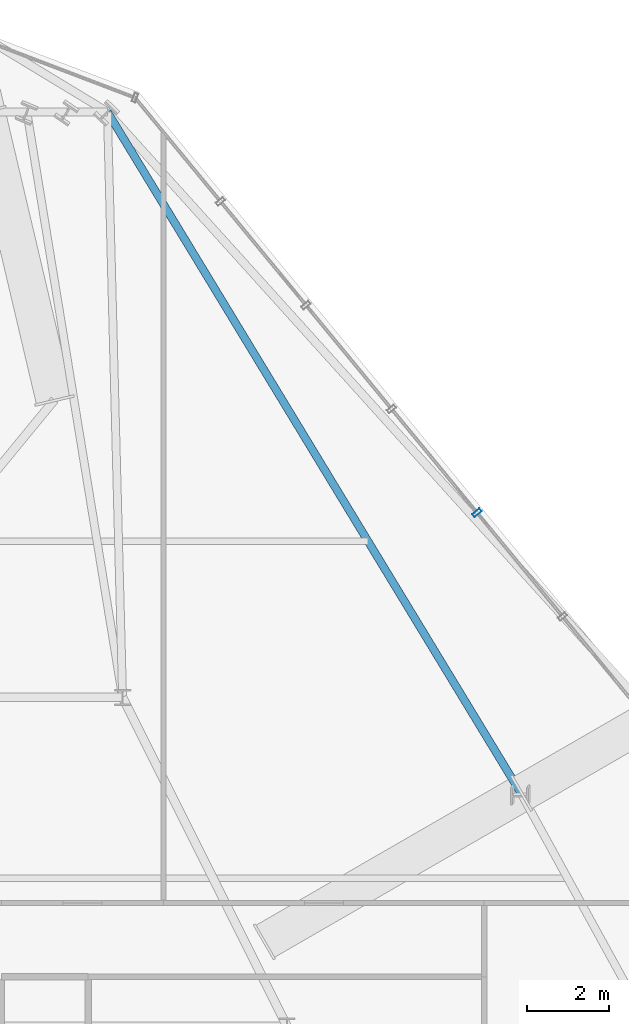
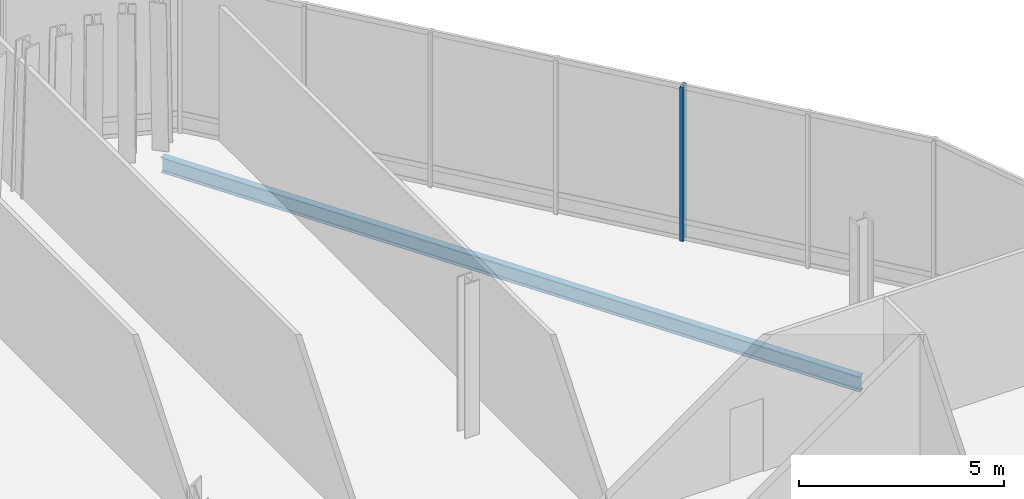
# One storey, part 19 of 28: 1 beam, 1 member, 1 element without a shape of its own.
"""IFC4 building model written with IfcOpenShell, lengths in metres."""

import ifcopenshell
import ifcopenshell.guid

model = None  # the IFC model being written
_history = None  # IfcOwnerHistory: only IFC2X3 demands one
_inside = {}  # id of a spatial element -> (the spatial element, [elements in it])
_under = {}  # id of a project, library or spatial element -> (it, [spatial elements below it])
_declared = {}  # id of a project -> (the project, [libraries it declares])
_typed = {}  # id of a type object -> (the type object, [elements of that type])
_made_of = {}  # id of a material, layer set ... -> (it, [elements and type objects made of it])


def new_model(schema):
    """Start an empty IFC model of exactly this schema.

    Asked for "IFC4X3", IfcOpenShell would pick the latest addendum, in which some entities
    have other attributes; the version numbers below select the first issue.
    IFC2X3 requires an IfcOwnerHistory on every rooted entity: one is made here for all.
    """
    global model, _history
    if schema == "IFC4X3":
        model = ifcopenshell.file(schema_version=(4, 3, 0, 0))
    else:
        model = ifcopenshell.file(schema=schema)
    _inside.clear()
    _under.clear()
    _declared.clear()
    _typed.clear()
    _made_of.clear()
    _history = None
    if model.schema == "IFC2X3":
        org = make("IfcOrganization", Name="unknown")
        user = make(
            "IfcPersonAndOrganization",
            ThePerson=make("IfcPerson", FamilyName="unknown"),
            TheOrganization=org,
        )
        app = make(
            "IfcApplication",
            ApplicationDeveloper=org,
            Version="unknown",
            ApplicationFullName="unknown",
            ApplicationIdentifier="unknown",
        )
        _history = make(
            "IfcOwnerHistory",
            OwningUser=user,
            OwningApplication=app,
            ChangeAction="ADDED",
            CreationDate=0,
        )
    return model


def make(cls, **values):
    """One entity of the class cls with the attributes given. An attribute that is None is left unset."""
    return model.create_entity(
        cls, **{name: value for name, value in values.items() if value is not None}
    )


def rooted(cls, **values):
    """An entity with a GlobalId (a new one), such as an element, a storey or a relation."""
    return make(cls, GlobalId=ifcopenshell.guid.new(), OwnerHistory=_history, **values)


def si_unit(unit_type, name, prefix=None):
    """IfcSIUnit, for example si_unit("LENGTHUNIT", "METRE", prefix="MILLI")."""
    return make("IfcSIUnit", UnitType=unit_type, Prefix=prefix, Name=name)


def assignment(units):
    """IfcUnitAssignment: the units of a project."""
    return None if units is None else make("IfcUnitAssignment", Units=units)


def point(xyz):
    """IfcCartesianPoint."""
    return None if xyz is None else make("IfcCartesianPoint", Coordinates=xyz)


def direction(xyz):
    """IfcDirection."""
    return None if xyz is None else make("IfcDirection", DirectionRatios=xyz)


def frame(location, z_axis=None, x_axis=None):
    """IfcAxis2Placement3D, a coordinate frame: its origin and axes. An axis left out is left unset."""
    return make(
        "IfcAxis2Placement3D",
        Location=point(location),
        Axis=direction(z_axis),
        RefDirection=direction(x_axis),
    )


def frame_2d(location, x_axis=None):
    """IfcAxis2Placement2D, a coordinate frame in the plane: its origin and x axis."""
    return make(
        "IfcAxis2Placement2D", Location=point(location), RefDirection=direction(x_axis)
    )


def origin():
    """The frame at (0, 0, 0) with its axes left unset."""
    return frame((0.0, 0.0, 0.0))


def origin_2d():
    """The frame at (0, 0) in the plane with its x axis left unset."""
    return frame_2d((0.0, 0.0))


def place(relative_to, where):
    """IfcLocalPlacement: puts the frame where relative to a parent placement (None: the world)."""
    return make(
        "IfcLocalPlacement", PlacementRelTo=relative_to, RelativePlacement=where
    )


def context(
    kind, dimensions, precision=None, world=None, true_north=None, identifier=None
):
    """IfcGeometricRepresentationContext, for example the 3D "Model" context."""
    return make(
        "IfcGeometricRepresentationContext",
        ContextIdentifier=identifier,
        ContextType=kind,
        CoordinateSpaceDimension=dimensions,
        Precision=precision,
        WorldCoordinateSystem=world,
        TrueNorth=true_north,
    )


def subcontext(parent, identifier, kind, view, scale=None):
    """IfcGeometricRepresentationSubContext, for example "Body" below "Model"."""
    return make(
        "IfcGeometricRepresentationSubContext",
        ContextIdentifier=identifier,
        ContextType=kind,
        ParentContext=parent,
        TargetScale=scale,
        TargetView=view,
    )


def project(units=None, contexts=None):
    """IfcProject with its units and contexts."""
    return rooted(
        "IfcProject",
        Name="project",
        RepresentationContexts=contexts,
        UnitsInContext=assignment(units),
    )


def spatial(cls, under=None, at=None, **own):
    """A site, building, storey or space (cls), placed at a placement, below another one or the project."""
    s = rooted(cls, ObjectPlacement=at, **own)
    if under is not None:
        _under.setdefault(under.id(), (under, []))[1].append(s)
    return s


def profile(cls, at=None, kind="AREA", **sizes):
    """A parametric profile (cls). Its sizes go by their IFC names, for example OverallWidth=200.0."""
    return make(cls, ProfileType=kind, Position=at, **sizes)


def hollow_rectangle(**sizes):
    """IfcRectangleHollowProfileDef."""
    return profile("IfcRectangleHollowProfileDef", **sizes)


def i_section(**sizes):
    """IfcIShapeProfileDef."""
    return profile("IfcIShapeProfileDef", **sizes)


def extrude(swept, where, along, depth):
    """IfcExtrudedAreaSolid: the profile swept, set in the frame where, extruded along a direction by depth."""
    return make(
        "IfcExtrudedAreaSolid",
        SweptArea=swept,
        Position=where,
        ExtrudedDirection=direction(along),
        Depth=depth,
    )


def shape(context_of_items, identifier, shape_type, items):
    """IfcShapeRepresentation: the items that make up one representation, for example the "Body"."""
    return make(
        "IfcShapeRepresentation",
        ContextOfItems=context_of_items,
        RepresentationIdentifier=identifier,
        RepresentationType=shape_type,
        Items=items,
    )


def material(Name=None, Category=None):
    """IfcMaterial."""
    return make("IfcMaterial", Name=Name, Category=Category)


def layer(
    of_material, thickness, ventilated=None, Name=None, Category=None, Priority=None
):
    """IfcMaterialLayer: one layer of a wall or slab, of a material (None: an air gap)."""
    return make(
        "IfcMaterialLayer",
        Material=of_material,
        LayerThickness=thickness,
        IsVentilated=ventilated,
        Name=Name,
        Category=Category,
        Priority=Priority,
    )


def layer_set(layers, Name=None):
    """IfcMaterialLayerSet."""
    return make("IfcMaterialLayerSet", MaterialLayers=layers, LayerSetName=Name)


def material_profile(
    of_material, cross_section, Name=None, Category=None, Priority=None
):
    """IfcMaterialProfile: a cross section and its material."""
    return make(
        "IfcMaterialProfile",
        Name=Name,
        Material=of_material,
        Profile=cross_section,
        Priority=Priority,
        Category=Category,
    )


def profile_set(profiles, Name=None, composite=None):
    """IfcMaterialProfileSet."""
    return make(
        "IfcMaterialProfileSet",
        Name=Name,
        MaterialProfiles=profiles,
        CompositeProfile=composite,
    )


def made_of(thing, what):
    """Note that an element or type object is made of a material, layer set ...; save() writes the relation."""
    if what is not None:
        _made_of.setdefault(what.id(), (what, []))[1].append(thing)
    return thing


def type_object(cls, material=None, **own):
    """A type object (cls), such as IfcWallType, which elements share."""
    return made_of(rooted(cls, **own), material)


def element(
    cls,
    number,
    at=None,
    inside=None,
    cuts=None,
    type_object=None,
    material=None,
    context=None,
    identifier="Body",
    shape_type=None,
    held_by="IfcProductDefinitionShape",
    body=None,
    shapes=None,
    **own,
):
    """One element of the class cls, such as IfcWall. Its Tag is "e" and its number.

    at: its placement. inside: the storey or other place that contains it. cuts: it is an
    opening in that element (IfcRelVoidsElement). A single representation is given by context,
    identifier, shape_type and body (its items); several are given by shapes. held_by: the class
    of the entity that holds the representations. save() writes the other relations.
    """
    e = rooted(cls, Tag="e%d" % number, ObjectPlacement=at, **own)
    if body is not None:
        shapes = [shape(context, identifier, shape_type, body)]
    if shapes is not None:
        e.Representation = make(held_by, Representations=shapes)
    if inside is not None:
        _inside.setdefault(inside.id(), (inside, []))[1].append(e)
    if cuts is not None:
        rooted(
            "IfcRelVoidsElement", RelatingBuildingElement=cuts, RelatedOpeningElement=e
        )
    if type_object is not None:
        _typed.setdefault(type_object.id(), (type_object, []))[1].append(e)
    return made_of(e, material)


def aggregate(whole, parts):
    """IfcRelAggregates: a whole, such as a stair, and the parts it consists of."""
    return rooted("IfcRelAggregates", RelatingObject=whole, RelatedObjects=parts)


def save(model, path):
    """Write the relations noted so far, then the file.

    IfcRelAggregates (storeys below a building ...), IfcRelContainedInSpatialStructure (elements
    in a storey), IfcRelDefinesByType, IfcRelAssociatesMaterial and IfcRelDeclares: one each for
    every whole, place, type object, material and project.
    """
    for whole, parts in _under.values():
        aggregate(whole, parts)
    for where, things in _inside.values():
        rooted(
            "IfcRelContainedInSpatialStructure",
            RelatedElements=things,
            RelatingStructure=where,
        )
    for kind, things in _typed.values():
        rooted("IfcRelDefinesByType", RelatedObjects=things, RelatingType=kind)
    for what, things in _made_of.values():
        rooted("IfcRelAssociatesMaterial", RelatedObjects=things, RelatingMaterial=what)
    for by, libraries in _declared.values():
        rooted("IfcRelDeclares", RelatingContext=by, RelatedDefinitions=libraries)
    model.write(path)


model = new_model("IFC4")

# Units and contexts
model_context = context("Model", 3, precision=1e-05, world=origin(), true_north=direction((0.0, 1.0)))
body_context = subcontext(model_context, "Body", "Model", "MODEL_VIEW")
ifc_project = project(units=[si_unit("LENGTHUNIT", "METRE"), si_unit("AREAUNIT", "SQUARE_METRE"), si_unit("VOLUMEUNIT", "CUBIC_METRE"), si_unit("PLANEANGLEUNIT", "RADIAN"), si_unit("MASSUNIT", "GRAM", prefix="KILO")], contexts=[model_context])

# Site, building, storey
site_placement = place(None, origin())
site = spatial("IfcSite", under=ifc_project, at=site_placement, CompositionType="ELEMENT")
building_placement = place(site_placement, origin())
building = spatial("IfcBuilding", under=site, at=building_placement, Name="Ndaravel Arena Tower", CompositionType="ELEMENT")
storey_placement = place(building_placement, frame((0.0, 0.0, 213.199951171875)))
storey = spatial("IfcBuildingStorey", under=building, at=storey_placement, Name="L51", CompositionType="ELEMENT", Elevation=213.199951171875)

# Beam
ifc_material_1 = material(Name="Steel S355", Category="steel")
ifc_material_profile_1 = material_profile(ifc_material_1, i_section(OverallWidth=0.18994140625, OverallDepth=0.449951171875, WebThickness=0.009521484375, FlangeThickness=0.0146484375, FilletRadius=0.02099609375, at=origin_2d()), Name="IPE 450")
ifc_profile_set_1 = profile_set([ifc_material_profile_1], Name="Steel S355")
beam_type = type_object("IfcBeamType", Name="BM-SPAN-IPE450", PredefinedType="SPANDREL", material=ifc_profile_set_1)
beam_placement = place(storey_placement, frame((55.497802734375, 28.858642578125, -0.5048828125), z_axis=(-0.518835945965, 0.854873827635, 0.0), x_axis=(-0.854873827635, -0.518835945965, 0.0)))
element("IfcBeam", 1, at=beam_placement, inside=storey, type_object=beam_type, Name="L51 Perimeter Spandrel Beam SP-10", PredefinedType="SPANDREL", context=body_context, shape_type="SweptSolid", body=[
    extrude(i_section(OverallWidth=0.18994140625, OverallDepth=0.449951171875, WebThickness=0.009521484375, FlangeThickness=0.0146484375, FilletRadius=0.02099609375, at=origin_2d()), origin(), (0.0, 0.0, 1.0), 19.40185546875),
])

# Curtain wall, member
ifc_material_2 = material(Name="Aluminium", Category="aluminium")
ifc_layer = layer(ifc_material_2, 0.179931640625)
ifc_layer_set = layer_set([ifc_layer], Name="Aluminium")
curtain_wall_type = type_object("IfcCurtainWallType", Name="CW-SYS-04", PredefinedType="NOTDEFINED", material=ifc_layer_set)
curtain_wall_placement = place(storey_placement, origin())
curtain_wall = element("IfcCurtainWall", 2, at=curtain_wall_placement, inside=storey, type_object=curtain_wall_type, Name="L51 Faceted Crystal Curtain Wall CW-L51-E07", PredefinedType="NOTDEFINED")
ifc_material_3 = material(Name="Aluminium", Category="aluminium")
ifc_material_profile_2 = material_profile(ifc_material_3, hollow_rectangle(XDim=0.090087890625, YDim=0.219970703125, WallThickness=0.0048828125, at=origin_2d()), Name="CW MULLION 90x220x5")
ifc_profile_set_2 = profile_set([ifc_material_profile_2], Name="Aluminium")
member_type = type_object("IfcMemberType", Name="MEM-CW-MUL220", PredefinedType="MULLION", material=ifc_profile_set_2)
member_placement = place(storey_placement, frame((54.42578125, 35.69189453125, 0.0), z_axis=(0.0, 0.0, 1.0), x_axis=(-0.636024349169, 0.771668988144, 0.0)))
member = element("IfcMember", 3, at=member_placement, type_object=member_type, Name="CW-L51-E07 Mullion 02", PredefinedType="MULLION", context=body_context, shape_type="SweptSolid", body=[
    extrude(hollow_rectangle(XDim=0.090087890625, YDim=0.219970703125, WallThickness=0.0048828125, at=origin_2d()), origin(), (0.0, 0.0, 1.0), 4.580078125),
])
aggregate(curtain_wall, [member])

save(model, "model.ifc")
